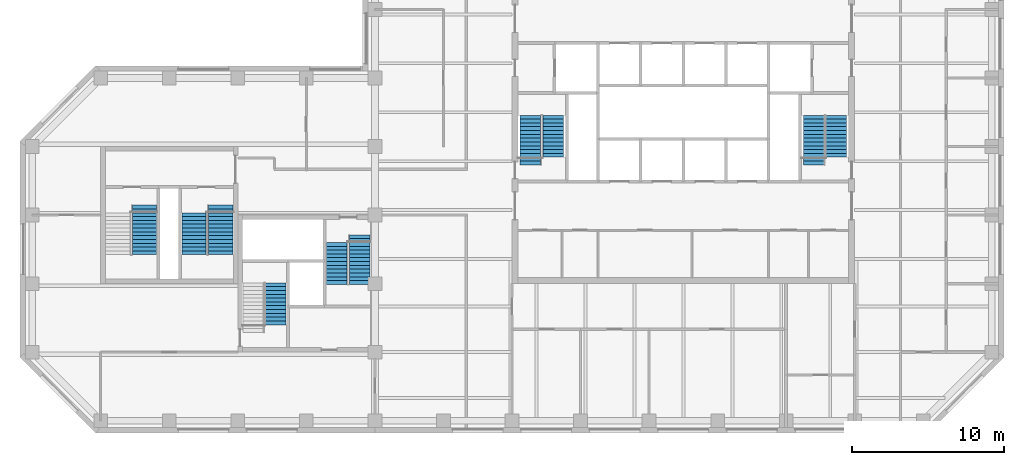
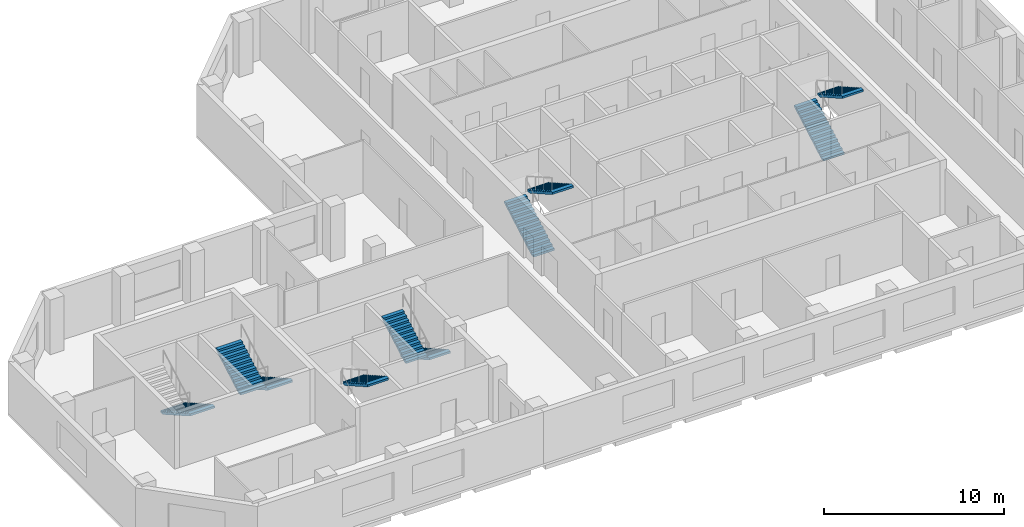
# One storey, part 8 of 9: 10 stair flights, 6 elements without a shape of their own.
"""IFC4 building model written with IfcOpenShell, lengths in metres."""

from ifc_helpers import new_model, si_unit, direction, frame, origin, place, context, subcontext, project, spatial, polyline, outline, extrude, material, type_object, element, aggregate, save


model = new_model("IFC4")

# Units and contexts
model_context = context("Model", 3, precision=1e-05, world=origin(), true_north=direction((0.0, 1.0)))
body_context = subcontext(model_context, "Body", "Model", "MODEL_VIEW")
ifc_project = project(units=[si_unit("LENGTHUNIT", "METRE"), si_unit("AREAUNIT", "SQUARE_METRE"), si_unit("VOLUMEUNIT", "CUBIC_METRE"), si_unit("PLANEANGLEUNIT", "RADIAN"), si_unit("MASSUNIT", "GRAM", prefix="KILO")], contexts=[model_context])

# Site, building, storey
site_placement = place(None, origin())
site = spatial("IfcSite", under=ifc_project, at=site_placement, CompositionType="ELEMENT")
building_placement = place(site_placement, origin())
building = spatial("IfcBuilding", under=site, at=building_placement, Name="Quoin Convention Tower", CompositionType="ELEMENT")
storey_placement = place(building_placement, frame((0.0, 0.0, 177.300048828125)))
storey = spatial("IfcBuildingStorey", under=building, at=storey_placement, Name="L46", CompositionType="ELEMENT", Elevation=177.300048828125)

# Stair, stair flights
ifc_material = material(Name="Concrete C40", Category="concrete")
stair_type_1 = type_object("IfcStairType", Name="Exit stair two-flight 1350", PredefinedType="HALF_TURN_STAIR", material=ifc_material)
stair_1_placement = place(storey_placement, origin())
stair_1 = element("IfcStair", 1, at=stair_1_placement, inside=storey, type_object=stair_type_1, Name="SD1 L46", PredefinedType="HALF_TURN_STAIR")
stair_flight_type_1 = type_object("IfcStairFlightType", Name="Stair flight 1350", PredefinedType="STRAIGHT", material=ifc_material)
stair_flight_1_placement = place(storey_placement, frame((46.199951171875, 57.300048828125, 0.0), z_axis=(0.0, 0.0, 1.0), x_axis=(0.0, 1.0, 0.0)))
stair_flight_1 = element("IfcStairFlight", 2, at=stair_flight_1_placement, type_object=stair_flight_type_1, Name="ST1 flight 1", NumberOfRisers=14, NumberOfTreads=13, PredefinedType="STRAIGHT", RiserHeight=0.142307692, TreadLength=0.25, context=body_context, shape_type="SweptSolid", body=[
    extrude(outline(polyline([(0.0, 0.0), (0.0, 0.142333984375), (0.25, 0.142333984375), (0.25, 0.28466796875), (0.5, 0.28466796875), (0.5, 0.427001953125), (0.75, 0.427001953125), (0.75, 0.5693359375), (1.0, 0.5693359375), (1.0, 0.71142578125), (1.25, 0.71142578125), (1.25, 0.853759765625), (1.5, 0.853759765625), (1.5, 0.99609375), (1.75, 0.99609375), (1.75, 1.138427734375), (2.0, 1.138427734375), (2.0, 1.28076171875), (2.25, 1.28076171875), (2.25, 1.423095703125), (2.5, 1.423095703125), (2.5, 1.5654296875), (2.75, 1.5654296875), (2.75, 1.707763671875), (3.0, 1.707763671875), (3.0, 1.85009765625), (3.25, 1.85009765625), (3.25, 1.9921875), (3.25, 1.711669921875), (0.242919921875, 0.0), (0.0, 0.0)])), frame((0.0, 0.675048828125, 0.0), z_axis=(0.0, -1.0, 0.0), x_axis=(1.0, 0.0, 0.0)), (0.0, 0.0, 1.0), 1.35009765625),
])
stair_flight_2_placement = place(storey_placement, frame((47.699951171875, 60.550048828125, 1.9921875), z_axis=(0.0, 0.0, 1.0), x_axis=(0.0, -1.0, 0.0)))
stair_flight_2 = element("IfcStairFlight", 3, at=stair_flight_2_placement, type_object=stair_flight_type_1, Name="ST1 flight 2", NumberOfRisers=12, NumberOfTreads=11, PredefinedType="STRAIGHT", RiserHeight=0.142307692, TreadLength=0.25, context=body_context, shape_type="SweptSolid", body=[
    extrude(outline(polyline([(0.0, 0.0), (0.0, 0.142333984375), (0.25, 0.142333984375), (0.25, 0.28466796875), (0.5, 0.28466796875), (0.5, 0.427001953125), (0.75, 0.427001953125), (0.75, 0.5693359375), (1.0, 0.5693359375), (1.0, 0.71142578125), (1.25, 0.71142578125), (1.25, 0.853759765625), (1.5, 0.853759765625), (1.5, 0.99609375), (1.75, 0.99609375), (1.75, 1.138427734375), (2.0, 1.138427734375), (2.0, 1.28076171875), (2.25, 1.28076171875), (2.25, 1.423095703125), (2.5, 1.423095703125), (2.5, 1.5654296875), (2.75, 1.5654296875), (2.75, 1.707763671875), (2.75, 1.42724609375), (0.242919921875, 0.0), (0.0, 0.0)])), frame((0.0, 0.675048828125, 0.0), z_axis=(0.0, -1.0, 0.0), x_axis=(1.0, 0.0, 0.0)), (0.0, 0.0, 1.0), 1.35009765625),
])
aggregate(stair_1, [stair_flight_1, stair_flight_2])

stair_2_placement = place(storey_placement, origin())
stair_2 = element("IfcStair", 4, at=stair_2_placement, inside=storey, type_object=stair_type_1, Name="SD2 L46", PredefinedType="HALF_TURN_STAIR")
stair_flight_3_placement = place(storey_placement, frame((64.800048828125, 57.300048828125, 0.0), z_axis=(0.0, 0.0, 1.0), x_axis=(0.0, 1.0, 0.0)))
stair_flight_3 = element("IfcStairFlight", 5, at=stair_flight_3_placement, type_object=stair_flight_type_1, Name="ST2 flight 1", NumberOfRisers=14, NumberOfTreads=13, PredefinedType="STRAIGHT", RiserHeight=0.142307692, TreadLength=0.25, context=body_context, shape_type="SweptSolid", body=[
    extrude(outline(polyline([(0.0, 0.0), (0.0, 0.142333984375), (0.25, 0.142333984375), (0.25, 0.28466796875), (0.5, 0.28466796875), (0.5, 0.427001953125), (0.75, 0.427001953125), (0.75, 0.5693359375), (1.0, 0.5693359375), (1.0, 0.71142578125), (1.25, 0.71142578125), (1.25, 0.853759765625), (1.5, 0.853759765625), (1.5, 0.99609375), (1.75, 0.99609375), (1.75, 1.138427734375), (2.0, 1.138427734375), (2.0, 1.28076171875), (2.25, 1.28076171875), (2.25, 1.423095703125), (2.5, 1.423095703125), (2.5, 1.5654296875), (2.75, 1.5654296875), (2.75, 1.707763671875), (3.0, 1.707763671875), (3.0, 1.85009765625), (3.25, 1.85009765625), (3.25, 1.9921875), (3.25, 1.711669921875), (0.242919921875, 0.0), (0.0, 0.0)])), frame((0.0, 0.675048828125, 0.0), z_axis=(0.0, -1.0, 0.0), x_axis=(1.0, 0.0, 0.0)), (0.0, 0.0, 1.0), 1.35009765625),
])
stair_flight_4_placement = place(storey_placement, frame((66.300048828125, 60.550048828125, 1.9921875), z_axis=(0.0, 0.0, 1.0), x_axis=(0.0, -1.0, 0.0)))
stair_flight_4 = element("IfcStairFlight", 6, at=stair_flight_4_placement, type_object=stair_flight_type_1, Name="ST2 flight 2", NumberOfRisers=12, NumberOfTreads=11, PredefinedType="STRAIGHT", RiserHeight=0.142307692, TreadLength=0.25, context=body_context, shape_type="SweptSolid", body=[
    extrude(outline(polyline([(0.0, 0.0), (0.0, 0.142333984375), (0.25, 0.142333984375), (0.25, 0.28466796875), (0.5, 0.28466796875), (0.5, 0.427001953125), (0.75, 0.427001953125), (0.75, 0.5693359375), (1.0, 0.5693359375), (1.0, 0.71142578125), (1.25, 0.71142578125), (1.25, 0.853759765625), (1.5, 0.853759765625), (1.5, 0.99609375), (1.75, 0.99609375), (1.75, 1.138427734375), (2.0, 1.138427734375), (2.0, 1.28076171875), (2.25, 1.28076171875), (2.25, 1.423095703125), (2.5, 1.423095703125), (2.5, 1.5654296875), (2.75, 1.5654296875), (2.75, 1.707763671875), (2.75, 1.42724609375), (0.242919921875, 0.0), (0.0, 0.0)])), frame((0.0, 0.675048828125, 0.0), z_axis=(0.0, -1.0, 0.0), x_axis=(1.0, 0.0, 0.0)), (0.0, 0.0, 1.0), 1.35009765625),
])
aggregate(stair_2, [stair_flight_3, stair_flight_4])

# Stair, stair flight
stair_3_placement = place(storey_placement, origin())
stair_3 = element("IfcStair", 7, at=stair_3_placement, inside=storey, type_object=stair_type_1, Name="SD3 L46", PredefinedType="HALF_TURN_STAIR")
stair_flight_5_placement = place(storey_placement, frame((29.5, 49.550048828125, 1.9921875), z_axis=(0.0, 0.0, 1.0), x_axis=(0.0, -1.0, 0.0)))
stair_flight_5 = element("IfcStairFlight", 8, at=stair_flight_5_placement, type_object=stair_flight_type_1, Name="ST3 flight 2", NumberOfRisers=12, NumberOfTreads=11, PredefinedType="STRAIGHT", RiserHeight=0.142307692, TreadLength=0.25, context=body_context, shape_type="SweptSolid", body=[
    extrude(outline(polyline([(0.0, 0.0), (0.0, 0.142333984375), (0.25, 0.142333984375), (0.25, 0.28466796875), (0.5, 0.28466796875), (0.5, 0.427001953125), (0.75, 0.427001953125), (0.75, 0.5693359375), (1.0, 0.5693359375), (1.0, 0.71142578125), (1.25, 0.71142578125), (1.25, 0.853759765625), (1.5, 0.853759765625), (1.5, 0.99609375), (1.75, 0.99609375), (1.75, 1.138427734375), (2.0, 1.138427734375), (2.0, 1.28076171875), (2.25, 1.28076171875), (2.25, 1.423095703125), (2.5, 1.423095703125), (2.5, 1.5654296875), (2.75, 1.5654296875), (2.75, 1.707763671875), (2.75, 1.42724609375), (0.242919921875, 0.0), (0.0, 0.0)])), frame((0.0, 0.675048828125, 0.0), z_axis=(0.0, -1.0, 0.0), x_axis=(1.0, 0.0, 0.0)), (0.0, 0.0, 1.0), 1.35009765625),
])
aggregate(stair_3, [stair_flight_5])

# Stair, stair flights
stair_4_placement = place(storey_placement, origin())
stair_4 = element("IfcStair", 9, at=stair_4_placement, inside=storey, type_object=stair_type_1, Name="SD4 L46", PredefinedType="HALF_TURN_STAIR")
stair_flight_6_placement = place(storey_placement, frame((35.0, 52.699951171875, 0.0), z_axis=(0.0, 0.0, 1.0), x_axis=(0.0, -1.0, 0.0)))
stair_flight_6 = element("IfcStairFlight", 10, at=stair_flight_6_placement, type_object=stair_flight_type_1, Name="ST4 flight 1", NumberOfRisers=14, NumberOfTreads=13, PredefinedType="STRAIGHT", RiserHeight=0.142307692, TreadLength=0.25, context=body_context, shape_type="SweptSolid", body=[
    extrude(outline(polyline([(0.0, 0.0), (0.0, 0.142333984375), (0.25, 0.142333984375), (0.25, 0.28466796875), (0.5, 0.28466796875), (0.5, 0.427001953125), (0.75, 0.427001953125), (0.75, 0.5693359375), (1.0, 0.5693359375), (1.0, 0.71142578125), (1.25, 0.71142578125), (1.25, 0.853759765625), (1.5, 0.853759765625), (1.5, 0.99609375), (1.75, 0.99609375), (1.75, 1.138427734375), (2.0, 1.138427734375), (2.0, 1.28076171875), (2.25, 1.28076171875), (2.25, 1.423095703125), (2.5, 1.423095703125), (2.5, 1.5654296875), (2.75, 1.5654296875), (2.75, 1.707763671875), (3.0, 1.707763671875), (3.0, 1.85009765625), (3.25, 1.85009765625), (3.25, 1.9921875), (3.25, 1.711669921875), (0.242919921875, 0.0), (0.0, 0.0)])), frame((0.0, 0.675048828125, 0.0), z_axis=(0.0, -1.0, 0.0), x_axis=(1.0, 0.0, 0.0)), (0.0, 0.0, 1.0), 1.35009765625),
])
stair_flight_7_placement = place(storey_placement, frame((33.5, 49.449951171875, 1.9921875), z_axis=(0.0, 0.0, 1.0), x_axis=(0.0, 1.0, 0.0)))
stair_flight_7 = element("IfcStairFlight", 11, at=stair_flight_7_placement, type_object=stair_flight_type_1, Name="ST4 flight 2", NumberOfRisers=12, NumberOfTreads=11, PredefinedType="STRAIGHT", RiserHeight=0.142307692, TreadLength=0.25, context=body_context, shape_type="SweptSolid", body=[
    extrude(outline(polyline([(0.0, 0.0), (0.0, 0.142333984375), (0.25, 0.142333984375), (0.25, 0.28466796875), (0.5, 0.28466796875), (0.5, 0.427001953125), (0.75, 0.427001953125), (0.75, 0.5693359375), (1.0, 0.5693359375), (1.0, 0.71142578125), (1.25, 0.71142578125), (1.25, 0.853759765625), (1.5, 0.853759765625), (1.5, 0.99609375), (1.75, 0.99609375), (1.75, 1.138427734375), (2.0, 1.138427734375), (2.0, 1.28076171875), (2.25, 1.28076171875), (2.25, 1.423095703125), (2.5, 1.423095703125), (2.5, 1.5654296875), (2.75, 1.5654296875), (2.75, 1.707763671875), (2.75, 1.42724609375), (0.242919921875, 0.0), (0.0, 0.0)])), frame((0.0, 0.675048828125, 0.0), z_axis=(0.0, -1.0, 0.0), x_axis=(1.0, 0.0, 0.0)), (0.0, 0.0, 1.0), 1.35009765625),
])
aggregate(stair_4, [stair_flight_6, stair_flight_7])

# Stair, stair flight
stair_type_2 = type_object("IfcStairType", Name="Exit stair two-flight 1600", PredefinedType="HALF_TURN_STAIR", material=ifc_material)
stair_5_placement = place(storey_placement, origin())
stair_5 = element("IfcStair", 12, at=stair_5_placement, inside=storey, type_object=stair_type_2, Name="SD11 L46", PredefinedType="HALF_TURN_STAIR")
stair_flight_type_2 = type_object("IfcStairFlightType", Name="Stair flight 1600", PredefinedType="STRAIGHT", material=ifc_material)
stair_flight_8_placement = place(storey_placement, frame((20.875, 54.64990234375, 0.0), z_axis=(0.0, 0.0, 1.0), x_axis=(0.0, -1.0, 0.0)))
stair_flight_8 = element("IfcStairFlight", 13, at=stair_flight_8_placement, type_object=stair_flight_type_2, Name="ST11 flight 1", NumberOfRisers=14, NumberOfTreads=13, PredefinedType="STRAIGHT", RiserHeight=0.142307692, TreadLength=0.25, context=body_context, shape_type="SweptSolid", body=[
    extrude(outline(polyline([(0.0, 0.0), (0.0, 0.142333984375), (0.25, 0.142333984375), (0.25, 0.28466796875), (0.5, 0.28466796875), (0.5, 0.427001953125), (0.75, 0.427001953125), (0.75, 0.5693359375), (1.0, 0.5693359375), (1.0, 0.71142578125), (1.25, 0.71142578125), (1.25, 0.853759765625), (1.5, 0.853759765625), (1.5, 0.99609375), (1.75, 0.99609375), (1.75, 1.138427734375), (2.0, 1.138427734375), (2.0, 1.28076171875), (2.25, 1.28076171875), (2.25, 1.423095703125), (2.5, 1.423095703125), (2.5, 1.5654296875), (2.75, 1.5654296875), (2.75, 1.707763671875), (3.0, 1.707763671875), (3.0, 1.85009765625), (3.25, 1.85009765625), (3.25, 1.9921875), (3.25, 1.711669921875), (0.242919921875, 0.0), (0.0, 0.0)])), frame((0.0, 0.800048828125, 0.0), z_axis=(0.0, -1.0, 0.0), x_axis=(1.0, 0.0, 0.0)), (0.0, 0.0, 1.0), 1.60009765625),
])
aggregate(stair_5, [stair_flight_8])

# Stair, stair flights
stair_6_placement = place(storey_placement, origin())
stair_6 = element("IfcStair", 14, at=stair_6_placement, inside=storey, type_object=stair_type_2, Name="SD12 L46", PredefinedType="HALF_TURN_STAIR")
stair_flight_9_placement = place(storey_placement, frame((25.875, 54.64990234375, 0.0), z_axis=(0.0, 0.0, 1.0), x_axis=(0.0, -1.0, 0.0)))
stair_flight_9 = element("IfcStairFlight", 15, at=stair_flight_9_placement, type_object=stair_flight_type_2, Name="ST12 flight 1", NumberOfRisers=14, NumberOfTreads=13, PredefinedType="STRAIGHT", RiserHeight=0.142307692, TreadLength=0.25, context=body_context, shape_type="SweptSolid", body=[
    extrude(outline(polyline([(0.0, 0.0), (0.0, 0.142333984375), (0.25, 0.142333984375), (0.25, 0.28466796875), (0.5, 0.28466796875), (0.5, 0.427001953125), (0.75, 0.427001953125), (0.75, 0.5693359375), (1.0, 0.5693359375), (1.0, 0.71142578125), (1.25, 0.71142578125), (1.25, 0.853759765625), (1.5, 0.853759765625), (1.5, 0.99609375), (1.75, 0.99609375), (1.75, 1.138427734375), (2.0, 1.138427734375), (2.0, 1.28076171875), (2.25, 1.28076171875), (2.25, 1.423095703125), (2.5, 1.423095703125), (2.5, 1.5654296875), (2.75, 1.5654296875), (2.75, 1.707763671875), (3.0, 1.707763671875), (3.0, 1.85009765625), (3.25, 1.85009765625), (3.25, 1.9921875), (3.25, 1.711669921875), (0.242919921875, 0.0), (0.0, 0.0)])), frame((0.0, 0.800048828125, 0.0), z_axis=(0.0, -1.0, 0.0), x_axis=(1.0, 0.0, 0.0)), (0.0, 0.0, 1.0), 1.60009765625),
])
stair_flight_10_placement = place(storey_placement, frame((24.125, 51.39990234375, 1.9921875), z_axis=(0.0, 0.0, 1.0), x_axis=(0.0, 1.0, 0.0)))
stair_flight_10 = element("IfcStairFlight", 16, at=stair_flight_10_placement, type_object=stair_flight_type_2, Name="ST12 flight 2", NumberOfRisers=12, NumberOfTreads=11, PredefinedType="STRAIGHT", RiserHeight=0.142307692, TreadLength=0.25, context=body_context, shape_type="SweptSolid", body=[
    extrude(outline(polyline([(0.0, 0.0), (0.0, 0.142333984375), (0.25, 0.142333984375), (0.25, 0.28466796875), (0.5, 0.28466796875), (0.5, 0.427001953125), (0.75, 0.427001953125), (0.75, 0.5693359375), (1.0, 0.5693359375), (1.0, 0.71142578125), (1.25, 0.71142578125), (1.25, 0.853759765625), (1.5, 0.853759765625), (1.5, 0.99609375), (1.75, 0.99609375), (1.75, 1.138427734375), (2.0, 1.138427734375), (2.0, 1.28076171875), (2.25, 1.28076171875), (2.25, 1.423095703125), (2.5, 1.423095703125), (2.5, 1.5654296875), (2.75, 1.5654296875), (2.75, 1.707763671875), (2.75, 1.42724609375), (0.242919921875, 0.0), (0.0, 0.0)])), frame((0.0, 0.800048828125, 0.0), z_axis=(0.0, -1.0, 0.0), x_axis=(1.0, 0.0, 0.0)), (0.0, 0.0, 1.0), 1.60009765625),
])
aggregate(stair_6, [stair_flight_9, stair_flight_10])

save(model, "model.ifc")
